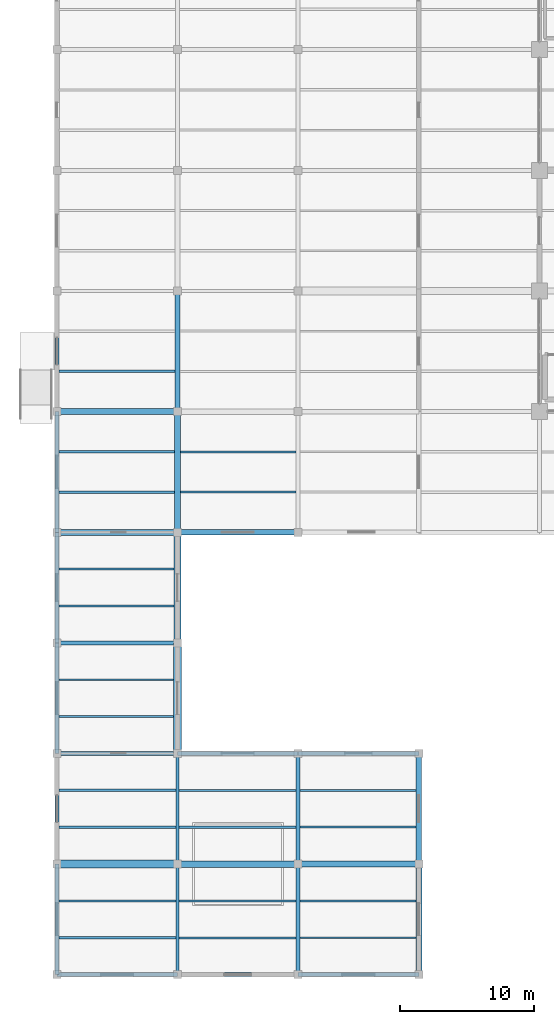
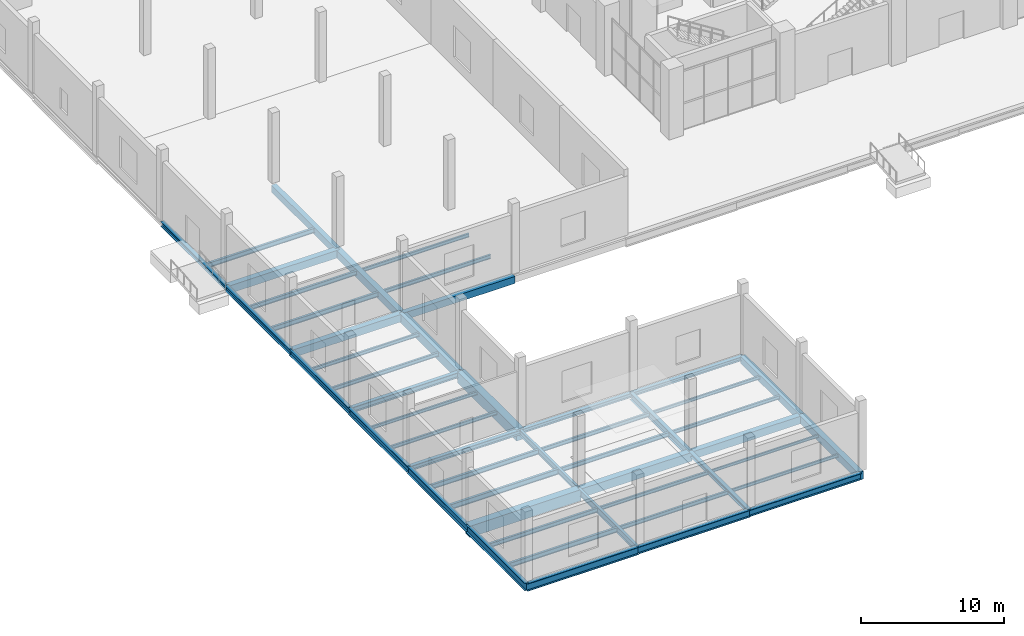
# One storey, part 15 of 144: 50 beams.
"""IFC4 building model written with IfcOpenShell, lengths in metres."""

import ifcopenshell
import ifcopenshell.guid

model = None  # the IFC model being written
_history = None  # IfcOwnerHistory: only IFC2X3 demands one
_inside = {}  # id of a spatial element -> (the spatial element, [elements in it])
_under = {}  # id of a project, library or spatial element -> (it, [spatial elements below it])
_declared = {}  # id of a project -> (the project, [libraries it declares])
_typed = {}  # id of a type object -> (the type object, [elements of that type])
_made_of = {}  # id of a material, layer set ... -> (it, [elements and type objects made of it])


def new_model(schema):
    """Start an empty IFC model of exactly this schema.

    Asked for "IFC4X3", IfcOpenShell would pick the latest addendum, in which some entities
    have other attributes; the version numbers below select the first issue.
    IFC2X3 requires an IfcOwnerHistory on every rooted entity: one is made here for all.
    """
    global model, _history
    if schema == "IFC4X3":
        model = ifcopenshell.file(schema_version=(4, 3, 0, 0))
    else:
        model = ifcopenshell.file(schema=schema)
    _inside.clear()
    _under.clear()
    _declared.clear()
    _typed.clear()
    _made_of.clear()
    _history = None
    if model.schema == "IFC2X3":
        org = make("IfcOrganization", Name="unknown")
        user = make(
            "IfcPersonAndOrganization",
            ThePerson=make("IfcPerson", FamilyName="unknown"),
            TheOrganization=org,
        )
        app = make(
            "IfcApplication",
            ApplicationDeveloper=org,
            Version="unknown",
            ApplicationFullName="unknown",
            ApplicationIdentifier="unknown",
        )
        _history = make(
            "IfcOwnerHistory",
            OwningUser=user,
            OwningApplication=app,
            ChangeAction="ADDED",
            CreationDate=0,
        )
    return model


def make(cls, **values):
    """One entity of the class cls with the attributes given. An attribute that is None is left unset."""
    return model.create_entity(
        cls, **{name: value for name, value in values.items() if value is not None}
    )


def rooted(cls, **values):
    """An entity with a GlobalId (a new one), such as an element, a storey or a relation."""
    return make(cls, GlobalId=ifcopenshell.guid.new(), OwnerHistory=_history, **values)


def si_unit(unit_type, name, prefix=None):
    """IfcSIUnit, for example si_unit("LENGTHUNIT", "METRE", prefix="MILLI")."""
    return make("IfcSIUnit", UnitType=unit_type, Prefix=prefix, Name=name)


def assignment(units):
    """IfcUnitAssignment: the units of a project."""
    return None if units is None else make("IfcUnitAssignment", Units=units)


def point(xyz):
    """IfcCartesianPoint."""
    return None if xyz is None else make("IfcCartesianPoint", Coordinates=xyz)


def direction(xyz):
    """IfcDirection."""
    return None if xyz is None else make("IfcDirection", DirectionRatios=xyz)


def frame(location, z_axis=None, x_axis=None):
    """IfcAxis2Placement3D, a coordinate frame: its origin and axes. An axis left out is left unset."""
    return make(
        "IfcAxis2Placement3D",
        Location=point(location),
        Axis=direction(z_axis),
        RefDirection=direction(x_axis),
    )


def frame_2d(location, x_axis=None):
    """IfcAxis2Placement2D, a coordinate frame in the plane: its origin and x axis."""
    return make(
        "IfcAxis2Placement2D", Location=point(location), RefDirection=direction(x_axis)
    )


def origin():
    """The frame at (0, 0, 0) with its axes left unset."""
    return frame((0.0, 0.0, 0.0))


def origin_2d():
    """The frame at (0, 0) in the plane with its x axis left unset."""
    return frame_2d((0.0, 0.0))


def place(relative_to, where):
    """IfcLocalPlacement: puts the frame where relative to a parent placement (None: the world)."""
    return make(
        "IfcLocalPlacement", PlacementRelTo=relative_to, RelativePlacement=where
    )


def context(
    kind, dimensions, precision=None, world=None, true_north=None, identifier=None
):
    """IfcGeometricRepresentationContext, for example the 3D "Model" context."""
    return make(
        "IfcGeometricRepresentationContext",
        ContextIdentifier=identifier,
        ContextType=kind,
        CoordinateSpaceDimension=dimensions,
        Precision=precision,
        WorldCoordinateSystem=world,
        TrueNorth=true_north,
    )


def subcontext(parent, identifier, kind, view, scale=None):
    """IfcGeometricRepresentationSubContext, for example "Body" below "Model"."""
    return make(
        "IfcGeometricRepresentationSubContext",
        ContextIdentifier=identifier,
        ContextType=kind,
        ParentContext=parent,
        TargetScale=scale,
        TargetView=view,
    )


def project(units=None, contexts=None):
    """IfcProject with its units and contexts."""
    return rooted(
        "IfcProject",
        Name="project",
        RepresentationContexts=contexts,
        UnitsInContext=assignment(units),
    )


def spatial(cls, under=None, at=None, **own):
    """A site, building, storey or space (cls), placed at a placement, below another one or the project."""
    s = rooted(cls, ObjectPlacement=at, **own)
    if under is not None:
        _under.setdefault(under.id(), (under, []))[1].append(s)
    return s


def profile(cls, at=None, kind="AREA", **sizes):
    """A parametric profile (cls). Its sizes go by their IFC names, for example OverallWidth=200.0."""
    return make(cls, ProfileType=kind, Position=at, **sizes)


def rectangle(**sizes):
    """IfcRectangleProfileDef."""
    return profile("IfcRectangleProfileDef", **sizes)


def i_section(**sizes):
    """IfcIShapeProfileDef."""
    return profile("IfcIShapeProfileDef", **sizes)


def extrude(swept, where, along, depth):
    """IfcExtrudedAreaSolid: the profile swept, set in the frame where, extruded along a direction by depth."""
    return make(
        "IfcExtrudedAreaSolid",
        SweptArea=swept,
        Position=where,
        ExtrudedDirection=direction(along),
        Depth=depth,
    )


def shape(context_of_items, identifier, shape_type, items):
    """IfcShapeRepresentation: the items that make up one representation, for example the "Body"."""
    return make(
        "IfcShapeRepresentation",
        ContextOfItems=context_of_items,
        RepresentationIdentifier=identifier,
        RepresentationType=shape_type,
        Items=items,
    )


def material(Name=None, Category=None):
    """IfcMaterial."""
    return make("IfcMaterial", Name=Name, Category=Category)


def material_profile(
    of_material, cross_section, Name=None, Category=None, Priority=None
):
    """IfcMaterialProfile: a cross section and its material."""
    return make(
        "IfcMaterialProfile",
        Name=Name,
        Material=of_material,
        Profile=cross_section,
        Priority=Priority,
        Category=Category,
    )


def profile_set(profiles, Name=None, composite=None):
    """IfcMaterialProfileSet."""
    return make(
        "IfcMaterialProfileSet",
        Name=Name,
        MaterialProfiles=profiles,
        CompositeProfile=composite,
    )


def made_of(thing, what):
    """Note that an element or type object is made of a material, layer set ...; save() writes the relation."""
    if what is not None:
        _made_of.setdefault(what.id(), (what, []))[1].append(thing)
    return thing


def type_object(cls, material=None, **own):
    """A type object (cls), such as IfcWallType, which elements share."""
    return made_of(rooted(cls, **own), material)


def element(
    cls,
    number,
    at=None,
    inside=None,
    cuts=None,
    type_object=None,
    material=None,
    context=None,
    identifier="Body",
    shape_type=None,
    held_by="IfcProductDefinitionShape",
    body=None,
    shapes=None,
    **own,
):
    """One element of the class cls, such as IfcWall. Its Tag is "e" and its number.

    at: its placement. inside: the storey or other place that contains it. cuts: it is an
    opening in that element (IfcRelVoidsElement). A single representation is given by context,
    identifier, shape_type and body (its items); several are given by shapes. held_by: the class
    of the entity that holds the representations. save() writes the other relations.
    """
    e = rooted(cls, Tag="e%d" % number, ObjectPlacement=at, **own)
    if body is not None:
        shapes = [shape(context, identifier, shape_type, body)]
    if shapes is not None:
        e.Representation = make(held_by, Representations=shapes)
    if inside is not None:
        _inside.setdefault(inside.id(), (inside, []))[1].append(e)
    if cuts is not None:
        rooted(
            "IfcRelVoidsElement", RelatingBuildingElement=cuts, RelatedOpeningElement=e
        )
    if type_object is not None:
        _typed.setdefault(type_object.id(), (type_object, []))[1].append(e)
    return made_of(e, material)


def aggregate(whole, parts):
    """IfcRelAggregates: a whole, such as a stair, and the parts it consists of."""
    return rooted("IfcRelAggregates", RelatingObject=whole, RelatedObjects=parts)


def save(model, path):
    """Write the relations noted so far, then the file.

    IfcRelAggregates (storeys below a building ...), IfcRelContainedInSpatialStructure (elements
    in a storey), IfcRelDefinesByType, IfcRelAssociatesMaterial and IfcRelDeclares: one each for
    every whole, place, type object, material and project.
    """
    for whole, parts in _under.values():
        aggregate(whole, parts)
    for where, things in _inside.values():
        rooted(
            "IfcRelContainedInSpatialStructure",
            RelatedElements=things,
            RelatingStructure=where,
        )
    for kind, things in _typed.values():
        rooted("IfcRelDefinesByType", RelatedObjects=things, RelatingType=kind)
    for what, things in _made_of.values():
        rooted("IfcRelAssociatesMaterial", RelatedObjects=things, RelatingMaterial=what)
    for by, libraries in _declared.values():
        rooted("IfcRelDeclares", RelatingContext=by, RelatedDefinitions=libraries)
    model.write(path)


model = new_model("IFC4")

# Units and contexts
model_context = context("Model", 3, precision=1e-05, world=origin(), true_north=direction((0.0, 1.0)))
body_context = subcontext(model_context, "Body", "Model", "MODEL_VIEW")
ifc_project = project(units=[si_unit("LENGTHUNIT", "METRE"), si_unit("AREAUNIT", "SQUARE_METRE"), si_unit("VOLUMEUNIT", "CUBIC_METRE"), si_unit("PLANEANGLEUNIT", "RADIAN"), si_unit("MASSUNIT", "GRAM", prefix="KILO")], contexts=[model_context])

# Site, building, storey
site_placement = place(None, origin())
site = spatial("IfcSite", under=ifc_project, at=site_placement, CompositionType="ELEMENT")
building_placement = place(site_placement, origin())
building = spatial("IfcBuilding", under=site, at=building_placement, Name="Sundgate Opera House", CompositionType="ELEMENT")
storey_placement = place(building_placement, origin())
storey = spatial("IfcBuildingStorey", under=building, at=storey_placement, Name="L00", CompositionType="ELEMENT", Elevation=0.0)

# Beams
ifc_material_1 = material(Name="Steel S355J2", Category="steel")
ifc_material_profile_1 = material_profile(ifc_material_1, i_section(OverallWidth=0.300048828125, OverallDepth=0.330078125, WebThickness=0.009521484375, FlangeThickness=0.0166015625, at=origin_2d()), Name="HEA 340")
ifc_profile_set_1 = profile_set([ifc_material_profile_1], Name="Steel S355J2")
beam_type_1 = type_object("IfcBeamType", Name="BM-GR-HEA340", PredefinedType="BEAM", material=ifc_profile_set_1)
beam_1_placement = place(storey_placement, frame((18.0, 16.5, -0.485107421875), z_axis=(1.0, 0.0, 0.0), x_axis=(0.0, 1.0, 0.0)))
element("IfcBeam", 1, at=beam_1_placement, inside=storey, type_object=beam_type_1, Name="L00 Primary E-W Girder B0357", PredefinedType="BEAM", context=body_context, shape_type="SweptSolid", body=[
    extrude(i_section(OverallWidth=0.300048828125, OverallDepth=0.330078125, WebThickness=0.009521484375, FlangeThickness=0.0166015625, at=origin_2d()), origin(), (0.0, 0.0, 1.0), 9.0),
])
ifc_material_2 = material(Name="Steel S355J2", Category="steel")
ifc_material_profile_2 = material_profile(ifc_material_2, i_section(OverallWidth=0.300048828125, OverallDepth=0.35009765625, WebThickness=0.010009765625, FlangeThickness=0.017578125, at=origin_2d()), Name="HEA 360")
ifc_profile_set_2 = profile_set([ifc_material_profile_2], Name="Steel S355J2")
beam_type_2 = type_object("IfcBeamType", Name="BM-GR-HEA360", PredefinedType="BEAM", material=ifc_profile_set_2)
beam_2_placement = place(storey_placement, frame((9.0, 16.5, -0.4951171875), z_axis=(1.0, 0.0, 0.0), x_axis=(0.0, 1.0, 0.0)))
element("IfcBeam", 2, at=beam_2_placement, inside=storey, type_object=beam_type_2, Name="L00 Primary E-W Girder B0356", PredefinedType="BEAM", context=body_context, shape_type="SweptSolid", body=[
    extrude(i_section(OverallWidth=0.300048828125, OverallDepth=0.35009765625, WebThickness=0.010009765625, FlangeThickness=0.017578125, at=origin_2d()), origin(), (0.0, 0.0, 1.0), 9.0),
])
ifc_material_3 = material(Name="Steel S355J2", Category="steel")
ifc_material_profile_3 = material_profile(ifc_material_3, i_section(OverallWidth=0.300048828125, OverallDepth=0.389892578125, WebThickness=0.010986328125, FlangeThickness=0.01904296875, at=origin_2d()), Name="HEA 400")
ifc_profile_set_3 = profile_set([ifc_material_profile_3], Name="Steel S355J2")
beam_type_3 = type_object("IfcBeamType", Name="BM-GR-HEA400", PredefinedType="BEAM", material=ifc_profile_set_3)
beam_3_placement = place(storey_placement, frame((0.0, 16.5, -0.514892578125), z_axis=(1.0, 0.0, 0.0), x_axis=(0.0, 1.0, 0.0)))
element("IfcBeam", 3, at=beam_3_placement, inside=storey, type_object=beam_type_3, Name="L00 Primary E-W Girder B0355", PredefinedType="BEAM", context=body_context, shape_type="SweptSolid", body=[
    extrude(i_section(OverallWidth=0.300048828125, OverallDepth=0.389892578125, WebThickness=0.010986328125, FlangeThickness=0.01904296875, at=origin_2d()), origin(), (0.0, 0.0, 1.0), 9.0),
])
ifc_material_4 = material(Name="Steel S355J2", Category="steel")
ifc_material_profile_4 = material_profile(ifc_material_4, i_section(OverallWidth=0.300048828125, OverallDepth=0.590087890625, WebThickness=0.012939453125, FlangeThickness=0.02490234375, at=origin_2d()), Name="HEA 600")
ifc_profile_set_4 = profile_set([ifc_material_profile_4], Name="Steel S355J2")
beam_type_4 = type_object("IfcBeamType", Name="BM-GR-HEA600", PredefinedType="BEAM", material=ifc_profile_set_4)
beam_4_placement = place(storey_placement, frame((18.0, 8.25, -0.614990234375), z_axis=(0.0, 1.0, 0.0), x_axis=(-1.0, 0.0, 0.0)))
element("IfcBeam", 4, at=beam_4_placement, inside=storey, type_object=beam_type_4, Name="L00 Primary N-S Girder B0089", PredefinedType="BEAM", context=body_context, shape_type="SweptSolid", body=[
    extrude(i_section(OverallWidth=0.300048828125, OverallDepth=0.590087890625, WebThickness=0.012939453125, FlangeThickness=0.02490234375, at=origin_2d()), origin(), (0.0, 0.0, 1.0), 8.25),
])
ifc_material_5 = material(Name="Steel S355J2", Category="steel")
ifc_material_profile_5 = material_profile(ifc_material_5, i_section(OverallWidth=0.300048828125, OverallDepth=0.360107421875, WebThickness=0.012451171875, FlangeThickness=0.0224609375, at=origin_2d()), Name="HEB 360")
ifc_profile_set_5 = profile_set([ifc_material_profile_5], Name="Steel S355J2")
beam_type_5 = type_object("IfcBeamType", Name="BM-GR-HEB360", PredefinedType="BEAM", material=ifc_profile_set_5)
beam_5_placement = place(storey_placement, frame((18.0, 0.0, -0.5), z_axis=(0.0, 1.0, 0.0), x_axis=(-1.0, 0.0, 0.0)))
element("IfcBeam", 5, at=beam_5_placement, inside=storey, type_object=beam_type_5, Name="L00 Primary N-S Girder B0088", PredefinedType="BEAM", context=body_context, shape_type="SweptSolid", body=[
    extrude(i_section(OverallWidth=0.300048828125, OverallDepth=0.360107421875, WebThickness=0.012451171875, FlangeThickness=0.0224609375, at=origin_2d()), origin(), (0.0, 0.0, 1.0), 8.25),
])
ifc_material_6 = material(Name="Steel S355J2", Category="steel")
ifc_material_profile_6 = material_profile(ifc_material_6, i_section(OverallWidth=0.300048828125, OverallDepth=0.39990234375, WebThickness=0.013427734375, FlangeThickness=0.02392578125, at=origin_2d()), Name="HEB 400")
ifc_profile_set_6 = profile_set([ifc_material_profile_6], Name="Steel S355J2")
beam_type_6 = type_object("IfcBeamType", Name="BM-GR-HEB400", PredefinedType="BEAM", material=ifc_profile_set_6)
beam_6_placement = place(storey_placement, frame((0.0, 42.0, -0.52001953125), z_axis=(0.0, 1.0, 0.0), x_axis=(-1.0, 0.0, 0.0)))
element("IfcBeam", 6, at=beam_6_placement, inside=storey, type_object=beam_type_6, Name="L00 Primary N-S Girder B0065", PredefinedType="BEAM", context=body_context, shape_type="SweptSolid", body=[
    extrude(i_section(OverallWidth=0.300048828125, OverallDepth=0.39990234375, WebThickness=0.013427734375, FlangeThickness=0.02392578125, at=origin_2d()), origin(), (0.0, 0.0, 1.0), 9.0),
])
ifc_material_7 = material(Name="Steel S355J2", Category="steel")
ifc_material_profile_7 = material_profile(ifc_material_7, i_section(OverallWidth=0.300048828125, OverallDepth=0.449951171875, WebThickness=0.013916015625, FlangeThickness=0.02587890625, at=origin_2d()), Name="HEB 450")
ifc_profile_set_7 = profile_set([ifc_material_profile_7], Name="Steel S355J2")
beam_type_7 = type_object("IfcBeamType", Name="BM-GR-HEB450", PredefinedType="BEAM", material=ifc_profile_set_7)
for number, where, z_axis, x_axis, name in (
    (7, (0.0, 33.0, -0.544921875), (0.0, 1.0, 0.0), (-1.0, 0.0, 0.0), "L00 Primary N-S Girder B0064"),
    (8, (0.0, 24.75, -0.544921875), (1.0, 0.0, 0.0), (0.0, 1.0, 0.0), "L00 Primary E-W Girder B0371"),
):
    element("IfcBeam", number, at=place(storey_placement, frame(where, z_axis=z_axis, x_axis=x_axis)), inside=storey, type_object=beam_type_7, Name=name, PredefinedType="BEAM", context=body_context, shape_type="SweptSolid", body=[
        extrude(i_section(OverallWidth=0.300048828125, OverallDepth=0.449951171875, WebThickness=0.013916015625, FlangeThickness=0.02587890625, at=origin_2d()), origin(), (0.0, 0.0, 1.0), 9.0),
    ])
ifc_material_8 = material(Name="Steel S355J2", Category="steel")
ifc_material_profile_8 = material_profile(ifc_material_8, i_section(OverallWidth=0.300048828125, OverallDepth=0.5, WebThickness=0.014404296875, FlangeThickness=0.028076171875, at=origin_2d()), Name="HEB 500")
ifc_profile_set_8 = profile_set([ifc_material_profile_8], Name="Steel S355J2")
beam_type_8 = type_object("IfcBeamType", Name="BM-GR-HEB500", PredefinedType="BEAM", material=ifc_profile_set_8)
beam_7_placement = place(storey_placement, frame((0.0, 24.75, -0.570068359375), z_axis=(0.0, 1.0, 0.0), x_axis=(-1.0, 0.0, 0.0)))
element("IfcBeam", 9, at=beam_7_placement, inside=storey, type_object=beam_type_8, Name="L00 Primary N-S Girder B0063", PredefinedType="BEAM", context=body_context, shape_type="SweptSolid", body=[
    extrude(i_section(OverallWidth=0.300048828125, OverallDepth=0.5, WebThickness=0.014404296875, FlangeThickness=0.028076171875, at=origin_2d()), origin(), (0.0, 0.0, 1.0), 8.25),
])
ifc_material_9 = material(Name="Steel S355J2", Category="steel")
ifc_material_profile_9 = material_profile(ifc_material_9, i_section(OverallWidth=0.300048828125, OverallDepth=0.550048828125, WebThickness=0.014892578125, FlangeThickness=0.029052734375, at=origin_2d()), Name="HEB 550")
ifc_profile_set_9 = profile_set([ifc_material_profile_9], Name="Steel S355J2")
beam_type_9 = type_object("IfcBeamType", Name="BM-GR-HEB550", PredefinedType="BEAM", material=ifc_profile_set_9)
beam_8_placement = place(storey_placement, frame((0.0, 16.5, -0.594970703125), z_axis=(0.0, 1.0, 0.0), x_axis=(-1.0, 0.0, 0.0)))
element("IfcBeam", 10, at=beam_8_placement, inside=storey, type_object=beam_type_9, Name="L00 Primary N-S Girder B0062", PredefinedType="BEAM", context=body_context, shape_type="SweptSolid", body=[
    extrude(i_section(OverallWidth=0.300048828125, OverallDepth=0.550048828125, WebThickness=0.014892578125, FlangeThickness=0.029052734375, at=origin_2d()), origin(), (0.0, 0.0, 1.0), 8.25),
])
beam_9_placement = place(storey_placement, frame((18.0, 0.0, -0.594970703125), z_axis=(1.0, 0.0, 0.0), x_axis=(0.0, 1.0, 0.0)))
element("IfcBeam", 11, at=beam_9_placement, inside=storey, type_object=beam_type_9, Name="L00 Primary E-W Girder B0325", PredefinedType="BEAM", context=body_context, shape_type="SweptSolid", body=[
    extrude(i_section(OverallWidth=0.300048828125, OverallDepth=0.550048828125, WebThickness=0.014892578125, FlangeThickness=0.029052734375, at=origin_2d()), origin(), (0.0, 0.0, 1.0), 9.0),
])
ifc_material_10 = material(Name="Steel S355J2", Category="steel")
ifc_material_profile_10 = material_profile(ifc_material_10, i_section(OverallWidth=0.300048828125, OverallDepth=0.60009765625, WebThickness=0.015380859375, FlangeThickness=0.030029296875, at=origin_2d()), Name="HEB 600")
ifc_profile_set_10 = profile_set([ifc_material_profile_10], Name="Steel S355J2")
beam_type_10 = type_object("IfcBeamType", Name="BM-GR-HEB600", PredefinedType="BEAM", material=ifc_profile_set_10)
beam_10_placement = place(storey_placement, frame((0.0, 8.25, -0.6201171875), z_axis=(0.0, 1.0, 0.0), x_axis=(-1.0, 0.0, 0.0)))
element("IfcBeam", 12, at=beam_10_placement, inside=storey, type_object=beam_type_10, Name="L00 Primary N-S Girder B0061", PredefinedType="BEAM", context=body_context, shape_type="SweptSolid", body=[
    extrude(i_section(OverallWidth=0.300048828125, OverallDepth=0.60009765625, WebThickness=0.015380859375, FlangeThickness=0.030029296875, at=origin_2d()), origin(), (0.0, 0.0, 1.0), 8.25),
])
beam_11_placement = place(storey_placement, frame((9.0, 0.0, -0.6201171875), z_axis=(1.0, 0.0, 0.0), x_axis=(0.0, 1.0, 0.0)))
element("IfcBeam", 13, at=beam_11_placement, inside=storey, type_object=beam_type_10, Name="L00 Primary E-W Girder B0324", PredefinedType="BEAM", context=body_context, shape_type="SweptSolid", body=[
    extrude(i_section(OverallWidth=0.300048828125, OverallDepth=0.60009765625, WebThickness=0.015380859375, FlangeThickness=0.030029296875, at=origin_2d()), origin(), (0.0, 0.0, 1.0), 9.0),
])
ifc_material_11 = material(Name="Steel S355J2", Category="steel")
ifc_material_profile_11 = material_profile(ifc_material_11, i_section(OverallWidth=0.300048828125, OverallDepth=0.64990234375, WebThickness=0.01611328125, FlangeThickness=0.031005859375, at=origin_2d()), Name="HEB 650")
ifc_profile_set_11 = profile_set([ifc_material_profile_11], Name="Steel S355J2")
beam_type_11 = type_object("IfcBeamType", Name="BM-GR-HEB650", PredefinedType="BEAM", material=ifc_profile_set_11)
beam_12_placement = place(storey_placement, frame((0.0, 0.0, -0.64501953125), z_axis=(0.0, 1.0, 0.0), x_axis=(-1.0, 0.0, 0.0)))
element("IfcBeam", 14, at=beam_12_placement, inside=storey, type_object=beam_type_11, Name="L00 Primary N-S Girder B0060", PredefinedType="BEAM", context=body_context, shape_type="SweptSolid", body=[
    extrude(i_section(OverallWidth=0.300048828125, OverallDepth=0.64990234375, WebThickness=0.01611328125, FlangeThickness=0.031005859375, at=origin_2d()), origin(), (0.0, 0.0, 1.0), 8.25),
])
beam_13_placement = place(storey_placement, frame((0.0, 0.0, -0.64501953125), z_axis=(1.0, 0.0, 0.0), x_axis=(0.0, 1.0, 0.0)))
element("IfcBeam", 15, at=beam_13_placement, inside=storey, type_object=beam_type_11, Name="L00 Primary E-W Girder B0323", PredefinedType="BEAM", context=body_context, shape_type="SweptSolid", body=[
    extrude(i_section(OverallWidth=0.300048828125, OverallDepth=0.64990234375, WebThickness=0.01611328125, FlangeThickness=0.031005859375, at=origin_2d()), origin(), (0.0, 0.0, 1.0), 9.0),
])
ifc_material_12 = material(Name="Steel S355J2", Category="steel")
ifc_material_profile_12 = material_profile(ifc_material_12, i_section(OverallWidth=0.199951171875, OverallDepth=0.5, WebThickness=0.01025390625, FlangeThickness=0.01611328125, at=origin_2d()), Name="IPE 500")
ifc_profile_set_12 = profile_set([ifc_material_profile_12], Name="Steel S355J2")
beam_type_12 = type_object("IfcBeamType", Name="BM-GR-IPE500", PredefinedType="BEAM", material=ifc_profile_set_12)
beam_14_placement = place(storey_placement, frame((9.0, 8.25, -0.570068359375), z_axis=(0.0, 1.0, 0.0), x_axis=(-1.0, 0.0, 0.0)))
element("IfcBeam", 16, at=beam_14_placement, inside=storey, type_object=beam_type_12, Name="L00 Primary N-S Girder B0075", PredefinedType="BEAM", context=body_context, shape_type="SweptSolid", body=[
    extrude(i_section(OverallWidth=0.199951171875, OverallDepth=0.5, WebThickness=0.01025390625, FlangeThickness=0.01611328125, at=origin_2d()), origin(), (0.0, 0.0, 1.0), 8.25),
])
ifc_material_13 = material(Name="Steel S355J2", Category="steel")
ifc_material_profile_13 = material_profile(ifc_material_13, i_section(OverallWidth=0.2099609375, OverallDepth=0.550048828125, WebThickness=0.010986328125, FlangeThickness=0.01708984375, at=origin_2d()), Name="IPE 550")
ifc_profile_set_13 = profile_set([ifc_material_profile_13], Name="Steel S355J2")
beam_type_13 = type_object("IfcBeamType", Name="BM-GR-IPE550", PredefinedType="BEAM", material=ifc_profile_set_13)
beam_15_placement = place(storey_placement, frame((9.0, 0.0, -0.594970703125), z_axis=(0.0, 1.0, 0.0), x_axis=(-1.0, 0.0, 0.0)))
element("IfcBeam", 17, at=beam_15_placement, inside=storey, type_object=beam_type_13, Name="L00 Primary N-S Girder B0074", PredefinedType="BEAM", context=body_context, shape_type="SweptSolid", body=[
    extrude(i_section(OverallWidth=0.2099609375, OverallDepth=0.550048828125, WebThickness=0.010986328125, FlangeThickness=0.01708984375, at=origin_2d()), origin(), (0.0, 0.0, 1.0), 8.25),
])
ifc_material_14 = material(Name="Steel S355J2", Category="steel")
ifc_material_profile_14 = material_profile(ifc_material_14, i_section(OverallWidth=0.1201171875, OverallDepth=0.239990234375, WebThickness=0.006103515625, FlangeThickness=0.009765625, at=origin_2d()), Name="IPE 240")
ifc_profile_set_14 = profile_set([ifc_material_profile_14], Name="Steel S355J2")
beam_type_14 = type_object("IfcBeamType", Name="BM-JS-IPE240", PredefinedType="JOIST", material=ifc_profile_set_14)
beam_16_placement = place(storey_placement, frame((18.14990234375, 5.5, -0.43994140625), z_axis=(1.0, 0.0, 0.0), x_axis=(0.0, 1.0, 0.0)))
element("IfcBeam", 18, at=beam_16_placement, inside=storey, type_object=beam_type_14, Name="L00 Secondary Floor Joist B0608", PredefinedType="JOIST", context=body_context, shape_type="SweptSolid", body=[
    extrude(i_section(OverallWidth=0.1201171875, OverallDepth=0.239990234375, WebThickness=0.006103515625, FlangeThickness=0.009765625, at=origin_2d()), origin(), (0.0, 0.0, 1.0), 8.625),
])
ifc_material_15 = material(Name="Steel S355J2", Category="steel")
ifc_material_profile_15 = material_profile(ifc_material_15, i_section(OverallWidth=0.135009765625, OverallDepth=0.27001953125, WebThickness=0.006591796875, FlangeThickness=0.01025390625, at=origin_2d()), Name="IPE 270")
ifc_profile_set_15 = profile_set([ifc_material_profile_15], Name="Steel S355J2")
beam_type_15 = type_object("IfcBeamType", Name="BM-JS-IPE270", PredefinedType="JOIST", material=ifc_profile_set_15)
beam_17_placement = place(storey_placement, frame((18.14990234375, 2.75, -0.455078125), z_axis=(1.0, 0.0, 0.0), x_axis=(0.0, 1.0, 0.0)))
element("IfcBeam", 19, at=beam_17_placement, inside=storey, type_object=beam_type_15, Name="L00 Secondary Floor Joist B0607", PredefinedType="JOIST", context=body_context, shape_type="SweptSolid", body=[
    extrude(i_section(OverallWidth=0.135009765625, OverallDepth=0.27001953125, WebThickness=0.006591796875, FlangeThickness=0.01025390625, at=origin_2d()), origin(), (0.0, 0.0, 1.0), 8.625),
])
beam_18_placement = place(storey_placement, frame((18.14990234375, 13.75, -0.455078125), z_axis=(1.0, 0.0, 0.0), x_axis=(0.0, 1.0, 0.0)))
element("IfcBeam", 20, at=beam_18_placement, inside=storey, type_object=beam_type_15, Name="L00 Secondary Floor Joist B0628", PredefinedType="JOIST", context=body_context, shape_type="SweptSolid", body=[
    extrude(i_section(OverallWidth=0.135009765625, OverallDepth=0.27001953125, WebThickness=0.006591796875, FlangeThickness=0.01025390625, at=origin_2d()), origin(), (0.0, 0.0, 1.0), 8.650146484375),
])
beam_19_placement = place(storey_placement, frame((0.14990234375, 22.0, -0.455078125), z_axis=(1.0, 0.0, 0.0), x_axis=(0.0, 1.0, 0.0)))
element("IfcBeam", 21, at=beam_19_placement, inside=storey, type_object=beam_type_15, Name="L00 Secondary Floor Joist B0656", PredefinedType="JOIST", context=body_context, shape_type="SweptSolid", body=[
    extrude(i_section(OverallWidth=0.135009765625, OverallDepth=0.27001953125, WebThickness=0.006591796875, FlangeThickness=0.01025390625, at=origin_2d()), origin(), (0.0, 0.0, 1.0), 8.550048828125),
])
ifc_material_16 = material(Name="Steel S355J2", Category="steel")
ifc_material_profile_16 = material_profile(ifc_material_16, i_section(OverallWidth=0.14990234375, OverallDepth=0.300048828125, WebThickness=0.007080078125, FlangeThickness=0.0107421875, at=origin_2d()), Name="IPE 300")
ifc_profile_set_16 = profile_set([ifc_material_profile_16], Name="Steel S355J2")
beam_type_16 = type_object("IfcBeamType", Name="BM-JS-IPE300", PredefinedType="JOIST", material=ifc_profile_set_16)
beam_20_placement = place(storey_placement, frame((9.10498046875, 5.5, -0.469970703125), z_axis=(1.0, 0.0, 0.0), x_axis=(0.0, 1.0, 0.0)))
element("IfcBeam", 22, at=beam_20_placement, inside=storey, type_object=beam_type_16, Name="L00 Secondary Floor Joist B0606", PredefinedType="JOIST", context=body_context, shape_type="SweptSolid", body=[
    extrude(i_section(OverallWidth=0.14990234375, OverallDepth=0.300048828125, WebThickness=0.007080078125, FlangeThickness=0.0107421875, at=origin_2d()), origin(), (0.0, 0.0, 1.0), 8.7451171875),
])
beam_21_placement = place(storey_placement, frame((18.14990234375, 11.0, -0.469970703125), z_axis=(1.0, 0.0, 0.0), x_axis=(0.0, 1.0, 0.0)))
element("IfcBeam", 23, at=beam_21_placement, inside=storey, type_object=beam_type_16, Name="L00 Secondary Floor Joist B0627", PredefinedType="JOIST", context=body_context, shape_type="SweptSolid", body=[
    extrude(i_section(OverallWidth=0.14990234375, OverallDepth=0.300048828125, WebThickness=0.007080078125, FlangeThickness=0.0107421875, at=origin_2d()), origin(), (0.0, 0.0, 1.0), 8.650146484375),
])
beam_22_placement = place(storey_placement, frame((0.14990234375, 19.25, -0.469970703125), z_axis=(1.0, 0.0, 0.0), x_axis=(0.0, 1.0, 0.0)))
element("IfcBeam", 24, at=beam_22_placement, inside=storey, type_object=beam_type_16, Name="L00 Secondary Floor Joist B0655", PredefinedType="JOIST", context=body_context, shape_type="SweptSolid", body=[
    extrude(i_section(OverallWidth=0.14990234375, OverallDepth=0.300048828125, WebThickness=0.007080078125, FlangeThickness=0.0107421875, at=origin_2d()), origin(), (0.0, 0.0, 1.0), 8.550048828125),
])
beam_23_placement = place(storey_placement, frame((0.14990234375, 30.25, -0.469970703125), z_axis=(1.0, 0.0, 0.0), x_axis=(0.0, 1.0, 0.0)))
element("IfcBeam", 25, at=beam_23_placement, inside=storey, type_object=beam_type_16, Name="L00 Secondary Floor Joist B0683", PredefinedType="JOIST", context=body_context, shape_type="SweptSolid", body=[
    extrude(i_section(OverallWidth=0.14990234375, OverallDepth=0.300048828125, WebThickness=0.007080078125, FlangeThickness=0.0107421875, at=origin_2d()), origin(), (0.0, 0.0, 1.0), 8.60009765625),
])
beam_24_placement = place(storey_placement, frame((9.22509765625, 39.0, -0.469970703125), z_axis=(1.0, 0.0, 0.0), x_axis=(0.0, 1.0, 0.0)))
element("IfcBeam", 26, at=beam_24_placement, inside=storey, type_object=beam_type_16, Name="L00 Secondary Floor Joist B0711", PredefinedType="JOIST", context=body_context, shape_type="SweptSolid", body=[
    extrude(i_section(OverallWidth=0.14990234375, OverallDepth=0.300048828125, WebThickness=0.007080078125, FlangeThickness=0.0107421875, at=origin_2d()), origin(), (0.0, 0.0, 1.0), 8.625),
])
ifc_material_17 = material(Name="Steel S355J2", Category="steel")
ifc_material_profile_17 = material_profile(ifc_material_17, i_section(OverallWidth=0.159912109375, OverallDepth=0.330078125, WebThickness=0.007568359375, FlangeThickness=0.011474609375, at=origin_2d()), Name="IPE 330")
ifc_profile_set_17 = profile_set([ifc_material_profile_17], Name="Steel S355J2")
beam_type_17 = type_object("IfcBeamType", Name="BM-JS-IPE330", PredefinedType="JOIST", material=ifc_profile_set_17)
beam_25_placement = place(storey_placement, frame((9.10498046875, 2.75, -0.485107421875), z_axis=(1.0, 0.0, 0.0), x_axis=(0.0, 1.0, 0.0)))
element("IfcBeam", 27, at=beam_25_placement, inside=storey, type_object=beam_type_17, Name="L00 Secondary Floor Joist B0605", PredefinedType="JOIST", context=body_context, shape_type="SweptSolid", body=[
    extrude(i_section(OverallWidth=0.159912109375, OverallDepth=0.330078125, WebThickness=0.007568359375, FlangeThickness=0.011474609375, at=origin_2d()), origin(), (0.0, 0.0, 1.0), 8.7451171875),
])
beam_26_placement = place(storey_placement, frame((9.10009765625, 13.75, -0.485107421875), z_axis=(1.0, 0.0, 0.0), x_axis=(0.0, 1.0, 0.0)))
element("IfcBeam", 28, at=beam_26_placement, inside=storey, type_object=beam_type_17, Name="L00 Secondary Floor Joist B0626", PredefinedType="JOIST", context=body_context, shape_type="SweptSolid", body=[
    extrude(i_section(OverallWidth=0.159912109375, OverallDepth=0.330078125, WebThickness=0.007568359375, FlangeThickness=0.011474609375, at=origin_2d()), origin(), (0.0, 0.0, 1.0), 8.75),
])
beam_27_placement = place(storey_placement, frame((0.14990234375, 27.5, -0.485107421875), z_axis=(1.0, 0.0, 0.0), x_axis=(0.0, 1.0, 0.0)))
element("IfcBeam", 29, at=beam_27_placement, inside=storey, type_object=beam_type_17, Name="L00 Secondary Floor Joist B0682", PredefinedType="JOIST", context=body_context, shape_type="SweptSolid", body=[
    extrude(i_section(OverallWidth=0.159912109375, OverallDepth=0.330078125, WebThickness=0.007568359375, FlangeThickness=0.011474609375, at=origin_2d()), origin(), (0.0, 0.0, 1.0), 8.60009765625),
])
beam_28_placement = place(storey_placement, frame((9.22509765625, 36.0, -0.485107421875), z_axis=(1.0, 0.0, 0.0), x_axis=(0.0, 1.0, 0.0)))
element("IfcBeam", 30, at=beam_28_placement, inside=storey, type_object=beam_type_17, Name="L00 Secondary Floor Joist B0710", PredefinedType="JOIST", context=body_context, shape_type="SweptSolid", body=[
    extrude(i_section(OverallWidth=0.159912109375, OverallDepth=0.330078125, WebThickness=0.007568359375, FlangeThickness=0.011474609375, at=origin_2d()), origin(), (0.0, 0.0, 1.0), 8.625),
])
ifc_material_18 = material(Name="Steel S355J2", Category="steel")
ifc_material_profile_18 = material_profile(ifc_material_18, i_section(OverallWidth=0.169921875, OverallDepth=0.360107421875, WebThickness=0.008056640625, FlangeThickness=0.0126953125, at=origin_2d()), Name="IPE 360")
ifc_profile_set_18 = profile_set([ifc_material_profile_18], Name="Steel S355J2")
beam_type_18 = type_object("IfcBeamType", Name="BM-JS-IPE360", PredefinedType="JOIST", material=ifc_profile_set_18)
beam_29_placement = place(storey_placement, frame((0.14990234375, 5.5, -0.5), z_axis=(1.0, 0.0, 0.0), x_axis=(0.0, 1.0, 0.0)))
element("IfcBeam", 31, at=beam_29_placement, inside=storey, type_object=beam_type_18, Name="L00 Secondary Floor Joist B0604", PredefinedType="JOIST", context=body_context, shape_type="SweptSolid", body=[
    extrude(i_section(OverallWidth=0.169921875, OverallDepth=0.360107421875, WebThickness=0.008056640625, FlangeThickness=0.0126953125, at=origin_2d()), origin(), (0.0, 0.0, 1.0), 8.7451171875),
])
beam_30_placement = place(storey_placement, frame((9.10009765625, 11.0, -0.5), z_axis=(1.0, 0.0, 0.0), x_axis=(0.0, 1.0, 0.0)))
element("IfcBeam", 32, at=beam_30_placement, inside=storey, type_object=beam_type_18, Name="L00 Secondary Floor Joist B0625", PredefinedType="JOIST", context=body_context, shape_type="SweptSolid", body=[
    extrude(i_section(OverallWidth=0.169921875, OverallDepth=0.360107421875, WebThickness=0.008056640625, FlangeThickness=0.0126953125, at=origin_2d()), origin(), (0.0, 0.0, 1.0), 8.75),
])
beam_31_placement = place(storey_placement, frame((0.14990234375, 39.0, -0.5), z_axis=(1.0, 0.0, 0.0), x_axis=(0.0, 1.0, 0.0)))
element("IfcBeam", 33, at=beam_31_placement, inside=storey, type_object=beam_type_18, Name="L00 Secondary Floor Joist B0709", PredefinedType="JOIST", context=body_context, shape_type="SweptSolid", body=[
    extrude(i_section(OverallWidth=0.169921875, OverallDepth=0.360107421875, WebThickness=0.008056640625, FlangeThickness=0.0126953125, at=origin_2d()), origin(), (0.0, 0.0, 1.0), 8.625),
])
ifc_material_19 = material(Name="Steel S355J2", Category="steel")
ifc_material_profile_19 = material_profile(ifc_material_19, i_section(OverallWidth=0.179931640625, OverallDepth=0.39990234375, WebThickness=0.008544921875, FlangeThickness=0.013427734375, at=origin_2d()), Name="IPE 400")
ifc_profile_set_19 = profile_set([ifc_material_profile_19], Name="Steel S355J2")
beam_type_19 = type_object("IfcBeamType", Name="BM-JS-IPE400", PredefinedType="JOIST", material=ifc_profile_set_19)
beam_32_placement = place(storey_placement, frame((0.14990234375, 2.75, -0.52001953125), z_axis=(1.0, 0.0, 0.0), x_axis=(0.0, 1.0, 0.0)))
element("IfcBeam", 34, at=beam_32_placement, inside=storey, type_object=beam_type_19, Name="L00 Secondary Floor Joist B0603", PredefinedType="JOIST", context=body_context, shape_type="SweptSolid", body=[
    extrude(i_section(OverallWidth=0.179931640625, OverallDepth=0.39990234375, WebThickness=0.008544921875, FlangeThickness=0.013427734375, at=origin_2d()), origin(), (0.0, 0.0, 1.0), 8.7451171875),
])
beam_33_placement = place(storey_placement, frame((0.14990234375, 13.75, -0.52001953125), z_axis=(1.0, 0.0, 0.0), x_axis=(0.0, 1.0, 0.0)))
element("IfcBeam", 35, at=beam_33_placement, inside=storey, type_object=beam_type_19, Name="L00 Secondary Floor Joist B0624", PredefinedType="JOIST", context=body_context, shape_type="SweptSolid", body=[
    extrude(i_section(OverallWidth=0.179931640625, OverallDepth=0.39990234375, WebThickness=0.008544921875, FlangeThickness=0.013427734375, at=origin_2d()), origin(), (0.0, 0.0, 1.0), 8.75),
])
beam_34_placement = place(storey_placement, frame((0.14990234375, 36.0, -0.52001953125), z_axis=(1.0, 0.0, 0.0), x_axis=(0.0, 1.0, 0.0)))
element("IfcBeam", 36, at=beam_34_placement, inside=storey, type_object=beam_type_19, Name="L00 Secondary Floor Joist B0708", PredefinedType="JOIST", context=body_context, shape_type="SweptSolid", body=[
    extrude(i_section(OverallWidth=0.179931640625, OverallDepth=0.39990234375, WebThickness=0.008544921875, FlangeThickness=0.013427734375, at=origin_2d()), origin(), (0.0, 0.0, 1.0), 8.625),
])
beam_35_placement = place(storey_placement, frame((0.14990234375, 45.0, -0.52001953125), z_axis=(1.0, 0.0, 0.0), x_axis=(0.0, 1.0, 0.0)))
element("IfcBeam", 37, at=beam_35_placement, inside=storey, type_object=beam_type_19, Name="L00 Secondary Floor Joist B0743", PredefinedType="JOIST", context=body_context, shape_type="SweptSolid", body=[
    extrude(i_section(OverallWidth=0.179931640625, OverallDepth=0.39990234375, WebThickness=0.008544921875, FlangeThickness=0.013427734375, at=origin_2d()), origin(), (0.0, 0.0, 1.0), 8.650146484375),
])
ifc_material_20 = material(Name="Steel S355J2", Category="steel")
ifc_material_profile_20 = material_profile(ifc_material_20, i_section(OverallWidth=0.18994140625, OverallDepth=0.449951171875, WebThickness=0.009521484375, FlangeThickness=0.0146484375, at=origin_2d()), Name="IPE 450")
ifc_profile_set_20 = profile_set([ifc_material_profile_20], Name="Steel S355J2")
beam_type_20 = type_object("IfcBeamType", Name="BM-JS-IPE450", PredefinedType="JOIST", material=ifc_profile_set_20)
beam_36_placement = place(storey_placement, frame((0.14990234375, 11.0, -0.544921875), z_axis=(1.0, 0.0, 0.0), x_axis=(0.0, 1.0, 0.0)))
element("IfcBeam", 38, at=beam_36_placement, inside=storey, type_object=beam_type_20, Name="L00 Secondary Floor Joist B0623", PredefinedType="JOIST", context=body_context, shape_type="SweptSolid", body=[
    extrude(i_section(OverallWidth=0.18994140625, OverallDepth=0.449951171875, WebThickness=0.009521484375, FlangeThickness=0.0146484375, at=origin_2d()), origin(), (0.0, 0.0, 1.0), 8.75),
])
ifc_material_21 = material(Name="Concrete C35/45", Category="concrete")
ifc_material_profile_21 = material_profile(ifc_material_21, rectangle(XDim=0.39990234375, YDim=0.60009765625, at=origin_2d()), Name="RC 400x600")
ifc_profile_set_21 = profile_set([ifc_material_profile_21], Name="Concrete C35/45")
beam_type_21 = type_object("IfcBeamType", Name="BM-RC-400x600", PredefinedType="BEAM", material=ifc_profile_set_21)
beam_37_placement = place(storey_placement, frame((9.0, 42.0, -0.6201171875), z_axis=(0.0, 1.0, 0.0), x_axis=(-1.0, 0.0, 0.0)))
element("IfcBeam", 39, at=beam_37_placement, inside=storey, type_object=beam_type_21, Name="L00 Primary N-S Girder B0079", PredefinedType="BEAM", context=body_context, shape_type="SweptSolid", body=[
    extrude(rectangle(XDim=0.39990234375, YDim=0.60009765625, at=origin_2d()), origin(), (0.0, 0.0, 1.0), 9.0),
])
beam_38_placement = place(storey_placement, frame((27.0, 8.25, -0.6201171875), z_axis=(0.0, 1.0, 0.0), x_axis=(-1.0, 0.0, 0.0)))
element("IfcBeam", 40, at=beam_38_placement, inside=storey, type_object=beam_type_21, Name="L00 Primary N-S Girder B0101", PredefinedType="BEAM", context=body_context, shape_type="SweptSolid", body=[
    extrude(rectangle(XDim=0.39990234375, YDim=0.60009765625, at=origin_2d()), origin(), (0.0, 0.0, 1.0), 8.25),
])
beam_39_placement = place(storey_placement, frame((9.0, 33.0, -0.6201171875), z_axis=(1.0, 0.0, 0.0), x_axis=(0.0, 1.0, 0.0)))
element("IfcBeam", 41, at=beam_39_placement, inside=storey, type_object=beam_type_21, Name="L00 Primary E-W Girder B0386", PredefinedType="BEAM", context=body_context, shape_type="SweptSolid", body=[
    extrude(rectangle(XDim=0.39990234375, YDim=0.60009765625, at=origin_2d()), origin(), (0.0, 0.0, 1.0), 9.0),
])
ifc_material_22 = material(Name="Concrete C35/45", Category="concrete")
ifc_material_profile_22 = material_profile(ifc_material_22, rectangle(XDim=0.449951171875, YDim=0.64990234375, at=origin_2d()), Name="RC 450x650")
ifc_profile_set_22 = profile_set([ifc_material_profile_22], Name="Concrete C35/45")
beam_type_22 = type_object("IfcBeamType", Name="BM-RC-450x650", PredefinedType="BEAM", material=ifc_profile_set_22)
beam_40_placement = place(storey_placement, frame((9.0, 33.0, -0.64501953125), z_axis=(0.0, 1.0, 0.0), x_axis=(-1.0, 0.0, 0.0)))
element("IfcBeam", 42, at=beam_40_placement, inside=storey, type_object=beam_type_22, Name="L00 Primary N-S Girder B0078", PredefinedType="BEAM", context=body_context, shape_type="SweptSolid", body=[
    extrude(rectangle(XDim=0.449951171875, YDim=0.64990234375, at=origin_2d()), origin(), (0.0, 0.0, 1.0), 9.0),
])
beam_41_placement = place(storey_placement, frame((27.0, 0.0, -0.64501953125), z_axis=(0.0, 1.0, 0.0), x_axis=(-1.0, 0.0, 0.0)))
element("IfcBeam", 43, at=beam_41_placement, inside=storey, type_object=beam_type_22, Name="L00 Primary N-S Girder B0100", PredefinedType="BEAM", context=body_context, shape_type="SweptSolid", body=[
    extrude(rectangle(XDim=0.449951171875, YDim=0.64990234375, at=origin_2d()), origin(), (0.0, 0.0, 1.0), 8.25),
])
for number, where, z_axis, x_axis, name in (
    (44, (18.0, 8.25, -0.64501953125), (1.0, 0.0, 0.0), (0.0, 1.0, 0.0), "L00 Primary E-W Girder B0341"),
    (45, (0.0, 33.0, -0.64501953125), (1.0, 0.0, 0.0), (0.0, 1.0, 0.0), "L00 Primary E-W Girder B0385"),
    (46, (0.0, 42.0, -0.64501953125), (1.0, 0.0, 0.0), (0.0, 1.0, 0.0), "L00 Primary E-W Girder B0407"),
):
    element("IfcBeam", number, at=place(storey_placement, frame(where, z_axis=z_axis, x_axis=x_axis)), inside=storey, type_object=beam_type_22, Name=name, PredefinedType="BEAM", context=body_context, shape_type="SweptSolid", body=[
        extrude(rectangle(XDim=0.449951171875, YDim=0.64990234375, at=origin_2d()), origin(), (0.0, 0.0, 1.0), 9.0),
    ])
ifc_material_23 = material(Name="Concrete C40/50", Category="concrete")
ifc_material_profile_23 = material_profile(ifc_material_23, rectangle(XDim=0.5, YDim=0.75, at=origin_2d()), Name="RC 500x750")
ifc_profile_set_23 = profile_set([ifc_material_profile_23], Name="Concrete C40/50")
beam_type_23 = type_object("IfcBeamType", Name="BM-RC-500x750", PredefinedType="BEAM", material=ifc_profile_set_23)
beam_42_placement = place(storey_placement, frame((9.0, 24.75, -0.695068359375), z_axis=(0.0, 1.0, 0.0), x_axis=(-1.0, 0.0, 0.0)))
element("IfcBeam", 47, at=beam_42_placement, inside=storey, type_object=beam_type_23, Name="L00 Primary N-S Girder B0077", PredefinedType="BEAM", context=body_context, shape_type="SweptSolid", body=[
    extrude(rectangle(XDim=0.5, YDim=0.75, at=origin_2d()), origin(), (0.0, 0.0, 1.0), 8.25),
])
beam_43_placement = place(storey_placement, frame((9.0, 8.25, -0.695068359375), z_axis=(1.0, 0.0, 0.0), x_axis=(0.0, 1.0, 0.0)))
element("IfcBeam", 48, at=beam_43_placement, inside=storey, type_object=beam_type_23, Name="L00 Primary E-W Girder B0340", PredefinedType="BEAM", context=body_context, shape_type="SweptSolid", body=[
    extrude(rectangle(XDim=0.5, YDim=0.75, at=origin_2d()), origin(), (0.0, 0.0, 1.0), 9.0),
])
ifc_material_24 = material(Name="Concrete C40/50", Category="concrete")
ifc_material_profile_24 = material_profile(ifc_material_24, rectangle(XDim=0.60009765625, YDim=0.949951171875, at=origin_2d()), Name="RC 600x950")
ifc_profile_set_24 = profile_set([ifc_material_profile_24], Name="Concrete C40/50")
beam_type_24 = type_object("IfcBeamType", Name="BM-RC-600x950", PredefinedType="BEAM", material=ifc_profile_set_24)
beam_44_placement = place(storey_placement, frame((9.0, 16.5, -0.794921875), z_axis=(0.0, 1.0, 0.0), x_axis=(-1.0, 0.0, 0.0)))
element("IfcBeam", 49, at=beam_44_placement, inside=storey, type_object=beam_type_24, Name="L00 Primary N-S Girder B0076", PredefinedType="BEAM", context=body_context, shape_type="SweptSolid", body=[
    extrude(rectangle(XDim=0.60009765625, YDim=0.949951171875, at=origin_2d()), origin(), (0.0, 0.0, 1.0), 8.25),
])
beam_45_placement = place(storey_placement, frame((0.0, 8.25, -0.794921875), z_axis=(1.0, 0.0, 0.0), x_axis=(0.0, 1.0, 0.0)))
element("IfcBeam", 50, at=beam_45_placement, inside=storey, type_object=beam_type_24, Name="L00 Primary E-W Girder B0339", PredefinedType="BEAM", context=body_context, shape_type="SweptSolid", body=[
    extrude(rectangle(XDim=0.60009765625, YDim=0.949951171875, at=origin_2d()), origin(), (0.0, 0.0, 1.0), 9.0),
])

save(model, "model.ifc")
